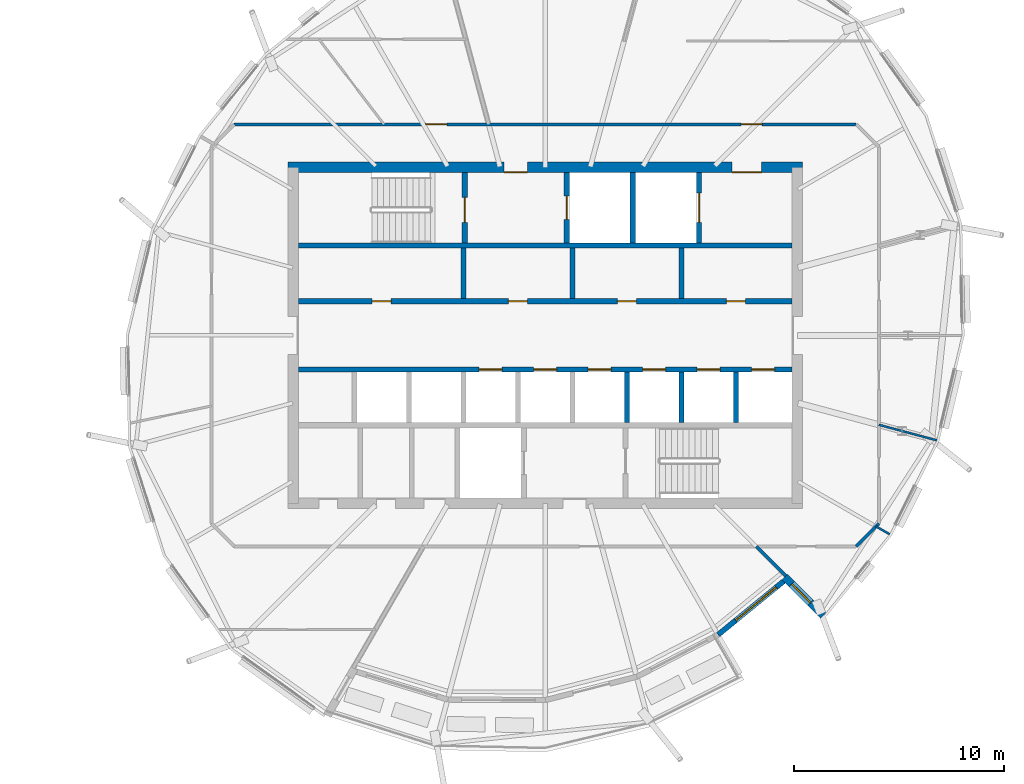
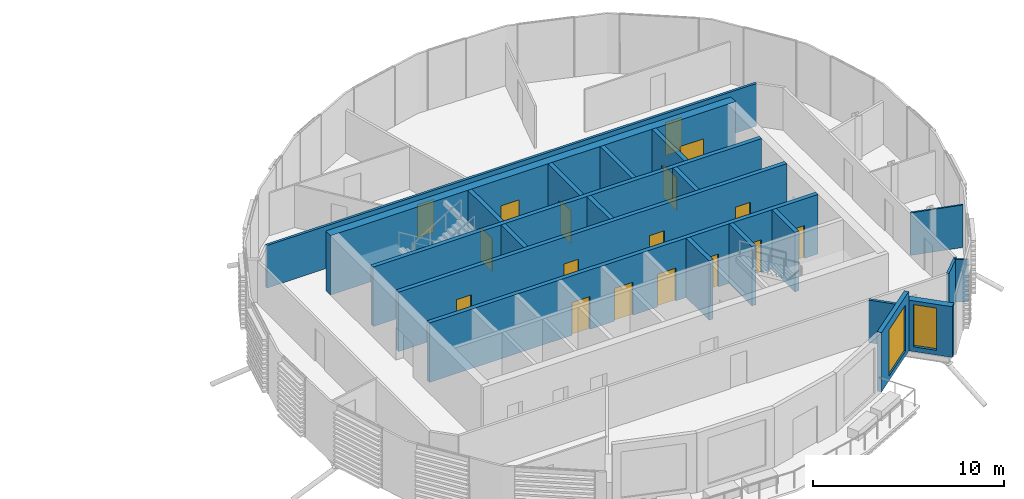
# One storey, part 24 of 41: 21 walls, 17 doors, 2 windows, 19 openings.
"""IFC4 building model written with IfcOpenShell, lengths in metres."""

from ifc_helpers import new_model, si_unit, direction, frame, frame_2d, origin, place, context, subcontext, project, spatial, rectangle, extrude, material, layer, layer_set, type_object, element, fill, save


model = new_model("IFC4")

# Units and contexts
model_context = context("Model", 3, precision=1e-05, world=origin(), true_north=direction((0.0, 1.0)))
body_context = subcontext(model_context, "Body", "Model", "MODEL_VIEW")
ifc_project = project(units=[si_unit("LENGTHUNIT", "METRE"), si_unit("AREAUNIT", "SQUARE_METRE"), si_unit("VOLUMEUNIT", "CUBIC_METRE"), si_unit("PLANEANGLEUNIT", "RADIAN"), si_unit("MASSUNIT", "GRAM", prefix="KILO")], contexts=[model_context])

# Site, building, storey
site_placement = place(None, origin())
site = spatial("IfcSite", under=ifc_project, at=site_placement, CompositionType="ELEMENT")
building_placement = place(site_placement, origin())
building = spatial("IfcBuilding", under=site, at=building_placement, Name="Rimbun Link Towers", CompositionType="ELEMENT")
storey_placement = place(building_placement, frame((0.0, 0.0, 210.5)))
storey = spatial("IfcBuildingStorey", under=building, at=storey_placement, Name="L51", CompositionType="ELEMENT", Elevation=210.5)

# Wall, opening, window
ifc_material_1 = material(Name="Dark enamelled glass spandrel on insulated aluminium backpan", Category="aluminium")
ifc_layer_1 = layer(ifc_material_1, 0.25)
ifc_layer_set_1 = layer_set([ifc_layer_1], Name="CS dark enamelled spandrel wall 250")
wall_type_1 = type_object("IfcWallType", Name="CS dark enamelled spandrel wall 250", PredefinedType="STANDARD", material=ifc_layer_set_1)
wall_1_placement = place(storey_placement, frame((43.10205078125, -11.70556640625, 0.0), z_axis=(0.0, 0.0, 1.0), x_axis=(-0.774667873464, -0.632368315006, 0.0)))
wall_1 = element("IfcWall", 1, at=wall_1_placement, inside=storey, type_object=wall_type_1, Name="Crease spandrel wall", PredefinedType="STANDARD", context=body_context, shape_type="SweptSolid", body=[
    extrude(rectangle(XDim=4.023193359375, YDim=0.25, at=frame_2d((2.01171875, 0.0))), origin(), (0.0, 0.0, 1.0), 3.800048828125),
])
opening_1_placement = place(wall_1_placement, frame((0.45166015625, 0.0, 0.300048828125)))
opening_1 = element("IfcOpeningElement", 2, at=opening_1_placement, cuts=wall_1, Name="Opening WR25H295", PredefinedType="OPENING", context=body_context, shape_type="SweptSolid", body=[
    extrude(rectangle(XDim=2.5, YDim=2.949951171875, at=frame_2d((1.25, 1.47509765625))), frame((0.0, 0.135009765625, 0.0), z_axis=(0.0, -1.0, 0.0), x_axis=(1.0, 0.0, 0.0)), (0.0, 0.0, 1.0), 0.27001953125),
])
ifc_material_2 = material(Name="Aluminium framed fixed window, dark tinted low-e glass", Category="aluminium")
window_type_1 = type_object("IfcWindowType", Name="WR ribbon window 2500X2950", PartitioningType="SINGLE_PANEL", PredefinedType="WINDOW", material=ifc_material_2)
window_1_placement = place(opening_1_placement, origin())
window_1 = element("IfcWindow", 3, at=window_1_placement, inside=storey, type_object=window_type_1, Name="Crease ribbon window", OverallHeight=2.949951171875, OverallWidth=2.5, PartitioningType="SINGLE_PANEL", PredefinedType="WINDOW", context=body_context, shape_type="SweptSolid", body=[
    extrude(rectangle(XDim=2.5, YDim=2.949951171875, at=frame_2d((1.25, 1.47509765625))), frame((0.0, 0.030029296875, 0.0), z_axis=(0.0, -1.0, 0.0), x_axis=(1.0, 0.0, 0.0)), (0.0, 0.0, 1.0), 0.06005859375),
])
fill(opening_1, window_1)

ifc_material_3 = material(Name="Dark enamelled glass spandrel on insulated aluminium backpan", Category="aluminium")
ifc_layer_2 = layer(ifc_material_3, 0.3701171875)
ifc_layer_set_2 = layer_set([ifc_layer_2], Name="CS dark enamelled spandrel wall 370")
wall_type_2 = type_object("IfcWallType", Name="CS dark enamelled spandrel wall 370", PredefinedType="STANDARD", material=ifc_layer_set_2)
wall_2_placement = place(storey_placement, frame((44.986083984375, -13.328125, 0.0), z_axis=(0.0, 0.0, 1.0), x_axis=(-0.707059465667, 0.70715409354, 0.0)))
wall_2 = element("IfcWall", 4, at=wall_2_placement, inside=storey, type_object=wall_type_2, Name="Crease spandrel wall", PredefinedType="STANDARD", context=body_context, shape_type="SweptSolid", body=[
    extrude(rectangle(XDim=2.580078125, YDim=0.3701171875, at=frame_2d((1.2900390625, 0.0))), origin(), (0.0, 0.0, 1.0), 3.24365234375),
])
opening_2_placement = place(wall_2_placement, frame((0.85888671875, 0.0, 0.300048828125)))
opening_2 = element("IfcOpeningElement", 5, at=opening_2_placement, cuts=wall_2, Name="Opening WR12H270", PredefinedType="OPENING", context=body_context, shape_type="SweptSolid", body=[
    extrude(rectangle(XDim=1.25, YDim=2.699951171875, at=frame_2d((0.625, 1.35009765625))), frame((0.0, 0.195068359375, 0.0), z_axis=(0.0, -1.0, 0.0), x_axis=(1.0, 0.0, 0.0)), (0.0, 0.0, 1.0), 0.39013671875),
])
ifc_material_4 = material(Name="Aluminium framed fixed window, dark tinted low-e glass", Category="aluminium")
window_type_2 = type_object("IfcWindowType", Name="WR ribbon window 1250X2700", PartitioningType="SINGLE_PANEL", PredefinedType="WINDOW", material=ifc_material_4)
window_2_placement = place(opening_2_placement, origin())
window_2 = element("IfcWindow", 6, at=window_2_placement, inside=storey, type_object=window_type_2, Name="Crease ribbon window", OverallHeight=2.699951171875, OverallWidth=1.25, PartitioningType="SINGLE_PANEL", PredefinedType="WINDOW", context=body_context, shape_type="SweptSolid", body=[
    extrude(rectangle(XDim=1.25, YDim=2.699951171875, at=frame_2d((0.625, 1.35009765625))), frame((0.0, 0.030029296875, 0.0), z_axis=(0.0, -1.0, 0.0), x_axis=(1.0, 0.0, 0.0)), (0.0, 0.0, 1.0), 0.06005859375),
])
fill(opening_2, window_2)

# Wall, openings, doors
ifc_material_5 = material(Name="Concrete C60/75", Category="concrete")
ifc_layer_3 = layer(ifc_material_5, 0.5)
ifc_layer_set_3 = layer_set([ifc_layer_3], Name="Core shear wall 500")
wall_type_3 = type_object("IfcWallType", Name="Core shear wall 500", PredefinedType="SHEAR", material=ifc_layer_set_3)
wall_3_placement = place(storey_placement, frame((19.5, 8.0, 0.0), z_axis=(0.0, 0.0, 1.0), x_axis=(1.0, 0.0, 0.0)))
wall_3 = element("IfcWall", 7, at=wall_3_placement, inside=storey, type_object=wall_type_3, Name="L51 T2 core wall N", PredefinedType="SHEAR", context=body_context, shape_type="SweptSolid", body=[
    extrude(rectangle(XDim=24.5, YDim=0.5, at=frame_2d((12.25, 0.0))), origin(), (0.0, 0.0, 1.0), 3.800048828125),
])
opening_3_placement = place(wall_3_placement, frame((10.300048828125, 0.0, 0.0)))
opening_3 = element("IfcOpeningElement", 8, at=opening_3_placement, cuts=wall_3, Name="Opening C2DCF01N", PredefinedType="OPENING", context=body_context, shape_type="SweptSolid", body=[
    extrude(rectangle(XDim=1.10009765625, YDim=2.10009765625, at=frame_2d((0.550048828125, 1.050048828125))), frame((0.0, 0.260009765625, 0.0), z_axis=(0.0, -1.0, 0.0), x_axis=(1.0, 0.0, 0.0)), (0.0, 0.0, 1.0), 0.52001953125),
])
opening_4_placement = place(wall_3_placement, frame((21.14990234375, 0.0, 0.0)))
opening_4 = element("IfcOpeningElement", 9, at=opening_4_placement, cuts=wall_3, Name="Opening C2DSL02N", PredefinedType="OPENING", context=body_context, shape_type="SweptSolid", body=[
    extrude(rectangle(XDim=1.39990234375, YDim=2.10009765625, at=frame_2d((0.699951171875, 1.050048828125))), frame((0.0, 0.260009765625, 0.0), z_axis=(0.0, -1.0, 0.0), x_axis=(1.0, 0.0, 0.0)), (0.0, 0.0, 1.0), 0.52001953125),
])
ifc_material_6 = material(Name="Steel fire door set", Category="steel")
door_type_1 = type_object("IfcDoorType", Name="Core fire door single", OperationType="SINGLE_SWING_LEFT", PredefinedType="DOOR", material=ifc_material_6)
door_1_placement = place(opening_3_placement, origin())
door_1 = element("IfcDoor", 10, at=door_1_placement, inside=storey, type_object=door_type_1, Name="L51 T2 firefighting lobby n door", OperationType="SINGLE_SWING_LEFT", OverallHeight=2.10009765625, OverallWidth=1.10009765625, PredefinedType="DOOR", context=body_context, shape_type="SweptSolid", body=[
    extrude(rectangle(XDim=1.10009765625, YDim=2.10009765625, at=frame_2d((0.550048828125, 1.050048828125))), frame((0.0, -0.2001953125, 0.0), z_axis=(0.0, -1.0, 0.0), x_axis=(1.0, 0.0, 0.0)), (0.0, 0.0, 1.0), 0.050048828125),
])
fill(opening_3, door_1)
ifc_material_7 = material(Name="Steel fire door set", Category="steel")
door_type_2 = type_object("IfcDoorType", Name="Service lobby door double", OperationType="DOUBLE_DOOR_SINGLE_SWING", PredefinedType="DOOR", material=ifc_material_7)
door_2_placement = place(opening_4_placement, origin())
door_2 = element("IfcDoor", 11, at=door_2_placement, inside=storey, type_object=door_type_2, Name="L51 T2 service lobby door", OperationType="DOUBLE_DOOR_SINGLE_SWING", OverallHeight=2.10009765625, OverallWidth=1.39990234375, PredefinedType="DOOR", context=body_context, shape_type="SweptSolid", body=[
    extrude(rectangle(XDim=1.39990234375, YDim=2.10009765625, at=frame_2d((0.699951171875, 1.050048828125))), frame((0.0, -0.2001953125, 0.0), z_axis=(0.0, -1.0, 0.0), x_axis=(1.0, 0.0, 0.0)), (0.0, 0.0, 1.0), 0.050048828125),
])
fill(opening_4, door_2)

ifc_material_8 = material(Name="Plasterboard on steel stud, mineral wool", Category="steel")
ifc_layer_4 = layer(ifc_material_8, 0.14990234375)
ifc_layer_set_4 = layer_set([ifc_layer_4], Name="Corridor wall EI 30 150 mm")
wall_type_4 = type_object("IfcWallType", Name="Corridor wall EI 30 150 mm", PredefinedType="PARTITIONING", material=ifc_layer_set_4)
wall_4_placement = place(storey_placement, frame((16.9462890625, 10.044921875, 0.0), z_axis=(0.0, 0.0, 1.0), x_axis=(1.0, 0.0, 0.0)))
wall_4 = element("IfcWall", 12, at=wall_4_placement, inside=storey, type_object=wall_type_4, Name="Corridor wall EI 30 150 mm", PredefinedType="PARTITIONING", context=body_context, shape_type="SweptSolid", body=[
    extrude(rectangle(XDim=29.607421875, YDim=0.14990234375, at=frame_2d((14.8037109375, 0.0))), origin(), (0.0, 0.0, 1.0), 2.721923828125),
])
opening_5_placement = place(wall_4_placement, frame((24.131103515625, 0.0, 0.0)))
opening_5 = element("IfcOpeningElement", 13, at=opening_5_placement, cuts=wall_4, Name="Opening D01", PredefinedType="OPENING", context=body_context, shape_type="SweptSolid", body=[
    extrude(rectangle(XDim=1.0, YDim=2.10009765625, at=frame_2d((0.5, 1.050048828125))), frame((0.0, 0.0849609375, 0.0), z_axis=(0.0, -1.0, 0.0), x_axis=(1.0, 0.0, 0.0)), (0.0, 0.0, 1.0), 0.169921875),
])
opening_6_placement = place(wall_4_placement, frame((9.12060546875, 0.0, 0.0)))
opening_6 = element("IfcOpeningElement", 14, at=opening_6_placement, cuts=wall_4, Name="Opening D01", PredefinedType="OPENING", context=body_context, shape_type="SweptSolid", body=[
    extrude(rectangle(XDim=1.0, YDim=2.10009765625, at=frame_2d((0.5, 1.050048828125))), frame((0.0, 0.0849609375, 0.0), z_axis=(0.0, -1.0, 0.0), x_axis=(1.0, 0.0, 0.0)), (0.0, 0.0, 1.0), 0.169921875),
])
ifc_material_9 = material(Name="Fire-resisting timber door leaf", Category="wood")
door_type_3 = type_object("IfcDoorType", Name="Fire door FD30S 1000", OperationType="NOTDEFINED", PredefinedType="DOOR", material=ifc_material_9)
door_3_placement = place(opening_5_placement, origin())
door_3 = element("IfcDoor", 15, at=door_3_placement, inside=storey, type_object=door_type_3, Name="Fire door FD30S 1000 to Reception", OperationType="SINGLE_SWING_LEFT", OverallHeight=2.10009765625, OverallWidth=1.0, PredefinedType="DOOR", context=body_context, shape_type="SweptSolid", body=[
    extrude(rectangle(XDim=1.0, YDim=2.10009765625, at=frame_2d((0.5, 1.050048828125))), frame((0.0, 0.02490234375, 0.0), z_axis=(0.0, -1.0, 0.0), x_axis=(1.0, 0.0, 0.0)), (0.0, 0.0, 1.0), 0.050048828125),
])
fill(opening_5, door_3)
door_4_placement = place(opening_6_placement, origin())
door_4 = element("IfcDoor", 16, at=door_4_placement, inside=storey, type_object=door_type_3, Name="Fire door FD30S 1000 to Reception", OperationType="SINGLE_SWING_RIGHT", OverallHeight=2.10009765625, OverallWidth=1.0, PredefinedType="DOOR", context=body_context, shape_type="SweptSolid", body=[
    extrude(rectangle(XDim=1.0, YDim=2.10009765625, at=frame_2d((0.5, 1.050048828125))), frame((0.0, 0.02490234375, 0.0), z_axis=(0.0, -1.0, 0.0), x_axis=(1.0, 0.0, 0.0)), (0.0, 0.0, 1.0), 0.050048828125),
])
fill(opening_6, door_4)

# Walls
wall_5_placement = place(storey_placement, frame((46.5537109375, -10.044921875, 0.0), z_axis=(0.0, 0.0, 1.0), x_axis=(0.707106781187, 0.707106781187, 0.0)))
element("IfcWall", 17, at=wall_5_placement, inside=storey, type_object=wall_type_4, Name="Corridor wall EI 30 150 mm", PredefinedType="PARTITIONING", context=body_context, shape_type="SweptSolid", body=[
    extrude(rectangle(XDim=1.529296875, YDim=0.14990234375, at=frame_2d((0.7646484375, 0.0))), origin(), (0.0, 0.0, 1.0), 2.721923828125),
])
ifc_material_10 = material(Name="Plasterboard on steel stud", Category="steel")
ifc_layer_5 = layer(ifc_material_10, 0.10009765625)
ifc_layer_set_5 = layer_set([ifc_layer_5], Name="Plasterboard partition 100 mm")
wall_type_5 = type_object("IfcWallType", Name="Plasterboard partition 100 mm", PredefinedType="PARTITIONING", material=ifc_layer_set_5)
wall_6_placement = place(storey_placement, frame((48.146240234375, -9.46630859375, 0.0), z_axis=(0.0, 0.0, 1.0), x_axis=(-0.866048655292, 0.499959725045, 0.0)))
element("IfcWall", 18, at=wall_6_placement, inside=storey, type_object=wall_type_5, Name="Plasterboard partition 100 mm", PredefinedType="PARTITIONING", context=body_context, shape_type="SweptSolid", body=[
    extrude(rectangle(XDim=0.7421875, YDim=0.10009765625, at=frame_2d((0.37109375, 0.0))), origin(), (0.0, 0.0, 1.0), 2.721923828125),
])
wall_7_placement = place(storey_placement, frame((50.3916015625, -4.9951171875, 0.0), z_axis=(0.0, 0.0, 1.0), x_axis=(-0.96591329959, 0.258865790856, 0.0)))
element("IfcWall", 19, at=wall_7_placement, inside=storey, type_object=wall_type_5, Name="Plasterboard partition 100 mm", PredefinedType="PARTITIONING", context=body_context, shape_type="SweptSolid", body=[
    extrude(rectangle(XDim=2.853759765625, YDim=0.10009765625, at=frame_2d((1.4267578125, 0.0))), origin(), (0.0, 0.0, 1.0), 2.721923828125),
])
ifc_material_11 = material(Name="Concrete C60/75", Category="concrete")
ifc_layer_6 = layer(ifc_material_11, 0.25)
ifc_layer_set_6 = layer_set([ifc_layer_6], Name="Shaft wall 250")
wall_type_6 = type_object("IfcWallType", Name="Shaft wall 250", PredefinedType="SHEAR", material=ifc_layer_set_6)
wall_8_placement = place(storey_placement, frame((20.0, 4.27490234375, 0.0), z_axis=(0.0, 0.0, 1.0), x_axis=(1.0, 0.0, 0.0)))
element("IfcWall", 20, at=wall_8_placement, inside=storey, type_object=wall_type_6, Name="L51 T2 core wall BN", PredefinedType="SHEAR", context=body_context, shape_type="SweptSolid", body=[
    extrude(rectangle(XDim=23.5, YDim=0.25, at=frame_2d((11.75, 0.0))), origin(), (0.0, 0.0, 1.0), 3.800048828125),
])

# Wall, openings, doors
wall_9_placement = place(storey_placement, frame((20.0, 1.625, 0.0), z_axis=(0.0, 0.0, 1.0), x_axis=(1.0, 0.0, 0.0)))
wall_9 = element("IfcWall", 21, at=wall_9_placement, inside=storey, type_object=wall_type_6, Name="L51 T2 core wall FN", PredefinedType="SHEAR", context=body_context, shape_type="SweptSolid", body=[
    extrude(rectangle(XDim=23.5, YDim=0.25, at=frame_2d((11.75, 0.0))), origin(), (0.0, 0.0, 1.0), 3.800048828125),
])
opening_7_placement = place(wall_9_placement, frame((3.5166015625, 0.0, 0.0)))
opening_7 = element("IfcOpeningElement", 22, at=opening_7_placement, cuts=wall_9, Name="Opening C2DRS01FN", PredefinedType="OPENING", context=body_context, shape_type="SweptSolid", body=[
    extrude(rectangle(XDim=0.89990234375, YDim=2.10009765625, at=frame_2d((0.449951171875, 1.050048828125))), frame((0.0, 0.135009765625, 0.0), z_axis=(0.0, -1.0, 0.0), x_axis=(1.0, 0.0, 0.0)), (0.0, 0.0, 1.0), 0.27001953125),
])
opening_8_placement = place(wall_9_placement, frame((10.002685546875, 0.0, 0.0)))
opening_8 = element("IfcOpeningElement", 23, at=opening_8_placement, cuts=wall_9, Name="Opening C2DRS02FN", PredefinedType="OPENING", context=body_context, shape_type="SweptSolid", body=[
    extrude(rectangle(XDim=0.89990234375, YDim=2.10009765625, at=frame_2d((0.449951171875, 1.050048828125))), frame((0.0, 0.135009765625, 0.0), z_axis=(0.0, -1.0, 0.0), x_axis=(1.0, 0.0, 0.0)), (0.0, 0.0, 1.0), 0.27001953125),
])
opening_9_placement = place(wall_9_placement, frame((15.191650390625, 0.0, 0.0)))
opening_9 = element("IfcOpeningElement", 24, at=opening_9_placement, cuts=wall_9, Name="Opening C2DRS03FN", PredefinedType="OPENING", context=body_context, shape_type="SweptSolid", body=[
    extrude(rectangle(XDim=0.89990234375, YDim=2.10009765625, at=frame_2d((0.449951171875, 1.050048828125))), frame((0.0, 0.135009765625, 0.0), z_axis=(0.0, -1.0, 0.0), x_axis=(1.0, 0.0, 0.0)), (0.0, 0.0, 1.0), 0.27001953125),
])
opening_10_placement = place(wall_9_placement, frame((20.380615234375, 0.0, 0.0)))
opening_10 = element("IfcOpeningElement", 25, at=opening_10_placement, cuts=wall_9, Name="Opening C2DRS04FN", PredefinedType="OPENING", context=body_context, shape_type="SweptSolid", body=[
    extrude(rectangle(XDim=0.89990234375, YDim=2.10009765625, at=frame_2d((0.449951171875, 1.050048828125))), frame((0.0, 0.135009765625, 0.0), z_axis=(0.0, -1.0, 0.0), x_axis=(1.0, 0.0, 0.0)), (0.0, 0.0, 1.0), 0.27001953125),
])
ifc_material_12 = material(Name="Steel fire door set", Category="steel")
door_type_4 = type_object("IfcDoorType", Name="Core riser door", OperationType="SINGLE_SWING_LEFT", PredefinedType="DOOR", material=ifc_material_12)
door_5_placement = place(opening_7_placement, origin())
door_5 = element("IfcDoor", 26, at=door_5_placement, inside=storey, type_object=door_type_4, Name="L51 T2 training store door", OperationType="SINGLE_SWING_LEFT", OverallHeight=2.10009765625, OverallWidth=0.89990234375, PredefinedType="DOOR", context=body_context, shape_type="SweptSolid", body=[
    extrude(rectangle(XDim=0.89990234375, YDim=2.10009765625, at=frame_2d((0.449951171875, 1.050048828125))), frame((0.0, 0.02490234375, 0.0), z_axis=(0.0, -1.0, 0.0), x_axis=(1.0, 0.0, 0.0)), (0.0, 0.0, 1.0), 0.050048828125),
])
fill(opening_7, door_5)
door_6_placement = place(opening_8_placement, origin())
door_6 = element("IfcDoor", 27, at=door_6_placement, inside=storey, type_object=door_type_4, Name="L51 T2 print room door", OperationType="SINGLE_SWING_LEFT", OverallHeight=2.10009765625, OverallWidth=0.89990234375, PredefinedType="DOOR", context=body_context, shape_type="SweptSolid", body=[
    extrude(rectangle(XDim=0.89990234375, YDim=2.10009765625, at=frame_2d((0.449951171875, 1.050048828125))), frame((0.0, 0.02490234375, 0.0), z_axis=(0.0, -1.0, 0.0), x_axis=(1.0, 0.0, 0.0)), (0.0, 0.0, 1.0), 0.050048828125),
])
fill(opening_8, door_6)
door_7_placement = place(opening_9_placement, origin())
door_7 = element("IfcDoor", 28, at=door_7_placement, inside=storey, type_object=door_type_4, Name="L51 T2 staff lounge door", OperationType="SINGLE_SWING_LEFT", OverallHeight=2.10009765625, OverallWidth=0.89990234375, PredefinedType="DOOR", context=body_context, shape_type="SweptSolid", body=[
    extrude(rectangle(XDim=0.89990234375, YDim=2.10009765625, at=frame_2d((0.449951171875, 1.050048828125))), frame((0.0, 0.02490234375, 0.0), z_axis=(0.0, -1.0, 0.0), x_axis=(1.0, 0.0, 0.0)), (0.0, 0.0, 1.0), 0.050048828125),
])
fill(opening_9, door_7)
door_8_placement = place(opening_10_placement, origin())
door_8 = element("IfcDoor", 29, at=door_8_placement, inside=storey, type_object=door_type_4, Name="L51 T2 phone room door", OperationType="SINGLE_SWING_LEFT", OverallHeight=2.10009765625, OverallWidth=0.89990234375, PredefinedType="DOOR", context=body_context, shape_type="SweptSolid", body=[
    extrude(rectangle(XDim=0.89990234375, YDim=2.10009765625, at=frame_2d((0.449951171875, 1.050048828125))), frame((0.0, 0.02490234375, 0.0), z_axis=(0.0, -1.0, 0.0), x_axis=(1.0, 0.0, 0.0)), (0.0, 0.0, 1.0), 0.050048828125),
])
fill(opening_10, door_8)

wall_10_placement = place(storey_placement, frame((20.0, -1.625, 0.0), z_axis=(0.0, 0.0, 1.0), x_axis=(1.0, 0.0, 0.0)))
wall_10 = element("IfcWall", 30, at=wall_10_placement, inside=storey, type_object=wall_type_6, Name="L51 T2 core wall FS", PredefinedType="SHEAR", context=body_context, shape_type="SweptSolid", body=[
    extrude(rectangle(XDim=23.5, YDim=0.25, at=frame_2d((11.75, 0.0))), origin(), (0.0, 0.0, 1.0), 3.800048828125),
])
opening_11_placement = place(wall_10_placement, frame((8.605712890625, 0.0, 0.0)))
opening_11 = element("IfcOpeningElement", 31, at=opening_11_placement, cuts=wall_10, Name="Opening LD-T2-HR1", PredefinedType="OPENING", context=body_context, shape_type="SweptSolid", body=[
    extrude(rectangle(XDim=1.10009765625, YDim=2.10009765625, at=frame_2d((0.550048828125, 1.050048828125))), frame((0.0, 0.135009765625, 0.0), z_axis=(0.0, -1.0, 0.0), x_axis=(1.0, 0.0, 0.0)), (0.0, 0.0, 1.0), 0.27001953125),
])
opening_12_placement = place(wall_10_placement, frame((11.199951171875, 0.0, 0.0)))
opening_12 = element("IfcOpeningElement", 32, at=opening_12_placement, cuts=wall_10, Name="Opening LD-T2-HR2", PredefinedType="OPENING", context=body_context, shape_type="SweptSolid", body=[
    extrude(rectangle(XDim=1.10009765625, YDim=2.10009765625, at=frame_2d((0.550048828125, 1.050048828125))), frame((0.0, 0.135009765625, 0.0), z_axis=(0.0, -1.0, 0.0), x_axis=(1.0, 0.0, 0.0)), (0.0, 0.0, 1.0), 0.27001953125),
])
opening_13_placement = place(wall_10_placement, frame((13.79443359375, 0.0, 0.0)))
opening_13 = element("IfcOpeningElement", 33, at=opening_13_placement, cuts=wall_10, Name="Opening LD-T2-HR3", PredefinedType="OPENING", context=body_context, shape_type="SweptSolid", body=[
    extrude(rectangle(XDim=1.10009765625, YDim=2.10009765625, at=frame_2d((0.550048828125, 1.050048828125))), frame((0.0, 0.135009765625, 0.0), z_axis=(0.0, -1.0, 0.0), x_axis=(1.0, 0.0, 0.0)), (0.0, 0.0, 1.0), 0.27001953125),
])
opening_14_placement = place(wall_10_placement, frame((16.388916015625, 0.0, 0.0)))
opening_14 = element("IfcOpeningElement", 34, at=opening_14_placement, cuts=wall_10, Name="Opening LD-T2-HR4", PredefinedType="OPENING", context=body_context, shape_type="SweptSolid", body=[
    extrude(rectangle(XDim=1.10009765625, YDim=2.10009765625, at=frame_2d((0.550048828125, 1.050048828125))), frame((0.0, 0.135009765625, 0.0), z_axis=(0.0, -1.0, 0.0), x_axis=(1.0, 0.0, 0.0)), (0.0, 0.0, 1.0), 0.27001953125),
])
opening_15_placement = place(wall_10_placement, frame((18.9833984375, 0.0, 0.0)))
opening_15 = element("IfcOpeningElement", 35, at=opening_15_placement, cuts=wall_10, Name="Opening LD-T2-HR5", PredefinedType="OPENING", context=body_context, shape_type="SweptSolid", body=[
    extrude(rectangle(XDim=1.10009765625, YDim=2.10009765625, at=frame_2d((0.550048828125, 1.050048828125))), frame((0.0, 0.135009765625, 0.0), z_axis=(0.0, -1.0, 0.0), x_axis=(1.0, 0.0, 0.0)), (0.0, 0.0, 1.0), 0.27001953125),
])
opening_16_placement = place(wall_10_placement, frame((21.577880859375, 0.0, 0.0)))
opening_16 = element("IfcOpeningElement", 36, at=opening_16_placement, cuts=wall_10, Name="Opening LD-T2-HR6", PredefinedType="OPENING", context=body_context, shape_type="SweptSolid", body=[
    extrude(rectangle(XDim=1.10009765625, YDim=2.10009765625, at=frame_2d((0.550048828125, 1.050048828125))), frame((0.0, 0.135009765625, 0.0), z_axis=(0.0, -1.0, 0.0), x_axis=(1.0, 0.0, 0.0)), (0.0, 0.0, 1.0), 0.27001953125),
])
ifc_material_13 = material(Name="Stainless steel grade 316", Category="steel")
door_type_5 = type_object("IfcDoorType", Name="Lift landing door", OperationType="DOUBLE_DOOR_SLIDING", PredefinedType="DOOR", material=ifc_material_13)
door_9_placement = place(opening_11_placement, origin())
door_9 = element("IfcDoor", 37, at=door_9_placement, inside=storey, type_object=door_type_5, Name="L51 T2 lift HR1 landing door", OperationType="DOUBLE_DOOR_SLIDING", OverallHeight=2.10009765625, OverallWidth=1.10009765625, PredefinedType="DOOR", context=body_context, shape_type="SweptSolid", body=[
    extrude(rectangle(XDim=1.10009765625, YDim=2.10009765625, at=frame_2d((0.550048828125, 1.050048828125))), frame((0.0, 0.02490234375, 0.0), z_axis=(0.0, -1.0, 0.0), x_axis=(1.0, 0.0, 0.0)), (0.0, 0.0, 1.0), 0.050048828125),
])
fill(opening_11, door_9)
door_10_placement = place(opening_12_placement, origin())
door_10 = element("IfcDoor", 38, at=door_10_placement, inside=storey, type_object=door_type_5, Name="L51 T2 lift HR2 landing door", OperationType="DOUBLE_DOOR_SLIDING", OverallHeight=2.10009765625, OverallWidth=1.10009765625, PredefinedType="DOOR", context=body_context, shape_type="SweptSolid", body=[
    extrude(rectangle(XDim=1.10009765625, YDim=2.10009765625, at=frame_2d((0.550048828125, 1.050048828125))), frame((0.0, 0.02490234375, 0.0), z_axis=(0.0, -1.0, 0.0), x_axis=(1.0, 0.0, 0.0)), (0.0, 0.0, 1.0), 0.050048828125),
])
fill(opening_12, door_10)
door_11_placement = place(opening_13_placement, origin())
door_11 = element("IfcDoor", 39, at=door_11_placement, inside=storey, type_object=door_type_5, Name="L51 T2 lift HR3 landing door", OperationType="DOUBLE_DOOR_SLIDING", OverallHeight=2.10009765625, OverallWidth=1.10009765625, PredefinedType="DOOR", context=body_context, shape_type="SweptSolid", body=[
    extrude(rectangle(XDim=1.10009765625, YDim=2.10009765625, at=frame_2d((0.550048828125, 1.050048828125))), frame((0.0, 0.02490234375, 0.0), z_axis=(0.0, -1.0, 0.0), x_axis=(1.0, 0.0, 0.0)), (0.0, 0.0, 1.0), 0.050048828125),
])
fill(opening_13, door_11)
door_12_placement = place(opening_14_placement, origin())
door_12 = element("IfcDoor", 40, at=door_12_placement, inside=storey, type_object=door_type_5, Name="L51 T2 lift HR4 landing door", OperationType="DOUBLE_DOOR_SLIDING", OverallHeight=2.10009765625, OverallWidth=1.10009765625, PredefinedType="DOOR", context=body_context, shape_type="SweptSolid", body=[
    extrude(rectangle(XDim=1.10009765625, YDim=2.10009765625, at=frame_2d((0.550048828125, 1.050048828125))), frame((0.0, 0.02490234375, 0.0), z_axis=(0.0, -1.0, 0.0), x_axis=(1.0, 0.0, 0.0)), (0.0, 0.0, 1.0), 0.050048828125),
])
fill(opening_14, door_12)
door_13_placement = place(opening_15_placement, origin())
door_13 = element("IfcDoor", 41, at=door_13_placement, inside=storey, type_object=door_type_5, Name="L51 T2 lift HR5 landing door", OperationType="DOUBLE_DOOR_SLIDING", OverallHeight=2.10009765625, OverallWidth=1.10009765625, PredefinedType="DOOR", context=body_context, shape_type="SweptSolid", body=[
    extrude(rectangle(XDim=1.10009765625, YDim=2.10009765625, at=frame_2d((0.550048828125, 1.050048828125))), frame((0.0, 0.02490234375, 0.0), z_axis=(0.0, -1.0, 0.0), x_axis=(1.0, 0.0, 0.0)), (0.0, 0.0, 1.0), 0.050048828125),
])
fill(opening_15, door_13)
door_14_placement = place(opening_16_placement, origin())
door_14 = element("IfcDoor", 42, at=door_14_placement, inside=storey, type_object=door_type_5, Name="L51 T2 lift HR6 landing door", OperationType="DOUBLE_DOOR_SLIDING", OverallHeight=2.10009765625, OverallWidth=1.10009765625, PredefinedType="DOOR", context=body_context, shape_type="SweptSolid", body=[
    extrude(rectangle(XDim=1.10009765625, YDim=2.10009765625, at=frame_2d((0.550048828125, 1.050048828125))), frame((0.0, 0.02490234375, 0.0), z_axis=(0.0, -1.0, 0.0), x_axis=(1.0, 0.0, 0.0)), (0.0, 0.0, 1.0), 0.050048828125),
])
fill(opening_16, door_14)

# Walls
for number, where, z_axis, x_axis, name in (
    (43, (27.8583984375, 1.75, 0.0), (0.0, 0.0, 1.0), (0.0, 1.0, 0.0), "L51 T2 core wall DN2"),
    (44, (33.047119140625, 1.75, 0.0), (0.0, 0.0, 1.0), (0.0, 1.0, 0.0), "L51 T2 core wall DN4"),
    (45, (38.236083984375, 1.75, 0.0), (0.0, 0.0, 1.0), (0.0, 1.0, 0.0), "L51 T2 core wall DN6"),
    (46, (35.6416015625, -4.14990234375, 0.0), (0.0, 0.0, 1.0), (0.0, 1.0, 0.0), "L51 T2 core wall DS5"),
    (47, (38.236083984375, -4.14990234375, 0.0), (0.0, 0.0, 1.0), (0.0, 1.0, 0.0), "L51 T2 core wall DS6"),
    (48, (40.83056640625, -4.14990234375, 0.0), (0.0, 0.0, 1.0), (0.0, 1.0, 0.0), "L51 T2 core wall DS7"),
):
    element("IfcWall", number, at=place(storey_placement, frame(where, z_axis=z_axis, x_axis=x_axis)), inside=storey, type_object=wall_type_6, Name=name, PredefinedType="SHEAR", context=body_context, shape_type="SweptSolid", body=[
        extrude(rectangle(XDim=2.39990234375, YDim=0.25, at=frame_2d((1.199951171875, 0.0))), origin(), (0.0, 0.0, 1.0), 3.800048828125),
    ])

# Wall, opening, door
wall_11_placement = place(storey_placement, frame((27.925048828125, 4.39990234375, 0.0), z_axis=(0.0, 0.0, 1.0), x_axis=(0.0, 1.0, 0.0)))
wall_11 = element("IfcWall", 49, at=wall_11_placement, inside=storey, type_object=wall_type_6, Name="L51 T2 core wall A1", PredefinedType="SHEAR", context=body_context, shape_type="SweptSolid", body=[
    extrude(rectangle(XDim=3.35009765625, YDim=0.25, at=frame_2d((1.675048828125, 0.0))), origin(), (0.0, 0.0, 1.0), 3.800048828125),
])
opening_17_placement = place(wall_11_placement, frame((0.97509765625, 0.0, 0.0)))
opening_17 = element("IfcOpeningElement", 50, at=opening_17_placement, cuts=wall_11, Name="Opening C2DST01A1", PredefinedType="OPENING", context=body_context, shape_type="SweptSolid", body=[
    extrude(rectangle(XDim=1.199951171875, YDim=2.10009765625, at=frame_2d((0.60009765625, 1.050048828125))), frame((0.0, 0.135009765625, 0.0), z_axis=(0.0, -1.0, 0.0), x_axis=(1.0, 0.0, 0.0)), (0.0, 0.0, 1.0), 0.27001953125),
])
ifc_material_14 = material(Name="Steel fire door set", Category="steel")
door_type_6 = type_object("IfcDoorType", Name="Stair door", OperationType="SINGLE_SWING_LEFT", PredefinedType="DOOR", material=ifc_material_14)
door_15_placement = place(opening_17_placement, origin())
door_15 = element("IfcDoor", 51, at=door_15_placement, inside=storey, type_object=door_type_6, Name="L51 T2 stair a door", OperationType="SINGLE_SWING_RIGHT", OverallHeight=2.10009765625, OverallWidth=1.199951171875, PredefinedType="DOOR", context=body_context, shape_type="SweptSolid", body=[
    extrude(rectangle(XDim=1.199951171875, YDim=2.10009765625, at=frame_2d((0.60009765625, 1.050048828125))), frame((0.0, 0.02490234375, 0.0), z_axis=(0.0, -1.0, 0.0), x_axis=(1.0, 0.0, 0.0)), (0.0, 0.0, 1.0), 0.050048828125),
])
fill(opening_17, door_15)

wall_12_placement = place(storey_placement, frame((32.77490234375, 4.39990234375, 0.0), z_axis=(0.0, 0.0, 1.0), x_axis=(0.0, 1.0, 0.0)))
wall_12 = element("IfcWall", 52, at=wall_12_placement, inside=storey, type_object=wall_type_6, Name="L51 T2 core wall A2", PredefinedType="SHEAR", context=body_context, shape_type="SweptSolid", body=[
    extrude(rectangle(XDim=3.35009765625, YDim=0.25, at=frame_2d((1.675048828125, 0.0))), origin(), (0.0, 0.0, 1.0), 3.800048828125),
])
opening_18_placement = place(wall_12_placement, frame((1.125, 0.0, 0.0)))
opening_18 = element("IfcOpeningElement", 53, at=opening_18_placement, cuts=wall_12, Name="Opening LD-T2-FF1", PredefinedType="OPENING", context=body_context, shape_type="SweptSolid", body=[
    extrude(rectangle(XDim=1.10009765625, YDim=2.10009765625, at=frame_2d((0.550048828125, 1.050048828125))), frame((0.0, 0.135009765625, 0.0), z_axis=(0.0, -1.0, 0.0), x_axis=(1.0, 0.0, 0.0)), (0.0, 0.0, 1.0), 0.27001953125),
])
door_16_placement = place(opening_18_placement, origin())
door_16 = element("IfcDoor", 54, at=door_16_placement, inside=storey, type_object=door_type_5, Name="L51 T2 lift FF1 landing door", OperationType="DOUBLE_DOOR_SLIDING", OverallHeight=2.10009765625, OverallWidth=1.10009765625, PredefinedType="DOOR", context=body_context, shape_type="SweptSolid", body=[
    extrude(rectangle(XDim=1.10009765625, YDim=2.10009765625, at=frame_2d((0.550048828125, 1.050048828125))), frame((0.0, 0.02490234375, 0.0), z_axis=(0.0, -1.0, 0.0), x_axis=(1.0, 0.0, 0.0)), (0.0, 0.0, 1.0), 0.050048828125),
])
fill(opening_18, door_16)

# Wall
wall_13_placement = place(storey_placement, frame((35.925048828125, 4.39990234375, 0.0), z_axis=(0.0, 0.0, 1.0), x_axis=(0.0, 1.0, 0.0)))
element("IfcWall", 55, at=wall_13_placement, inside=storey, type_object=wall_type_6, Name="L51 T2 core wall A3", PredefinedType="SHEAR", context=body_context, shape_type="SweptSolid", body=[
    extrude(rectangle(XDim=3.35009765625, YDim=0.25, at=frame_2d((1.675048828125, 0.0))), origin(), (0.0, 0.0, 1.0), 3.800048828125),
])

# Wall, opening, door
wall_14_placement = place(storey_placement, frame((39.074951171875, 4.39990234375, 0.0), z_axis=(0.0, 0.0, 1.0), x_axis=(0.0, 1.0, 0.0)))
wall_14 = element("IfcWall", 56, at=wall_14_placement, inside=storey, type_object=wall_type_6, Name="L51 T2 core wall A4", PredefinedType="SHEAR", context=body_context, shape_type="SweptSolid", body=[
    extrude(rectangle(XDim=3.35009765625, YDim=0.25, at=frame_2d((1.675048828125, 0.0))), origin(), (0.0, 0.0, 1.0), 3.800048828125),
])
opening_19_placement = place(wall_14_placement, frame((0.97509765625, 0.0, 0.0)))
opening_19 = element("IfcOpeningElement", 57, at=opening_19_placement, cuts=wall_14, Name="Opening LD-T2-GL1", PredefinedType="OPENING", context=body_context, shape_type="SweptSolid", body=[
    extrude(rectangle(XDim=1.39990234375, YDim=2.10009765625, at=frame_2d((0.699951171875, 1.050048828125))), frame((0.0, 0.135009765625, 0.0), z_axis=(0.0, -1.0, 0.0), x_axis=(1.0, 0.0, 0.0)), (0.0, 0.0, 1.0), 0.27001953125),
])
ifc_material_15 = material(Name="Stainless steel grade 316", Category="steel")
door_type_7 = type_object("IfcDoorType", Name="Goods lift landing door", OperationType="DOUBLE_DOOR_SLIDING", PredefinedType="DOOR", material=ifc_material_15)
door_17_placement = place(opening_19_placement, origin())
door_17 = element("IfcDoor", 58, at=door_17_placement, inside=storey, type_object=door_type_7, Name="L51 T2 lift GL1 landing door", OperationType="DOUBLE_DOOR_SLIDING", OverallHeight=2.10009765625, OverallWidth=1.39990234375, PredefinedType="DOOR", context=body_context, shape_type="SweptSolid", body=[
    extrude(rectangle(XDim=1.39990234375, YDim=2.10009765625, at=frame_2d((0.699951171875, 1.050048828125))), frame((0.0, 0.02490234375, 0.0), z_axis=(0.0, -1.0, 0.0), x_axis=(1.0, 0.0, 0.0)), (0.0, 0.0, 1.0), 0.050048828125),
])
fill(opening_19, door_17)

# Wall
ifc_material_16 = material(Name="Plasterboard on steel stud, mineral wool", Category="steel")
ifc_layer_7 = layer(ifc_material_16, 0.14990234375)
ifc_layer_set_7 = layer_set([ifc_layer_7], Name="Tenancy separation wall EI 60 150 mm")
wall_type_7 = type_object("IfcWallType", Name="Tenancy separation wall EI 60 150 mm", PredefinedType="PARTITIONING", material=ifc_layer_set_7)
wall_15_placement = place(storey_placement, frame((41.794921875, -10.044921875, 0.0), z_axis=(0.0, 0.0, 1.0), x_axis=(0.707106781187, -0.707106781187, 0.0)))
element("IfcWall", 59, at=wall_15_placement, inside=storey, type_object=wall_type_7, Name="Tenancy separation wall EI 60 150 mm", PredefinedType="PARTITIONING", context=body_context, shape_type="SweptSolid", body=[
    extrude(rectangle(XDim=1.998046875, YDim=0.14990234375, at=frame_2d((0.9990234375, 0.0))), origin(), (0.0, 0.0, 1.0), 2.721923828125),
])

save(model, "model.ifc")
